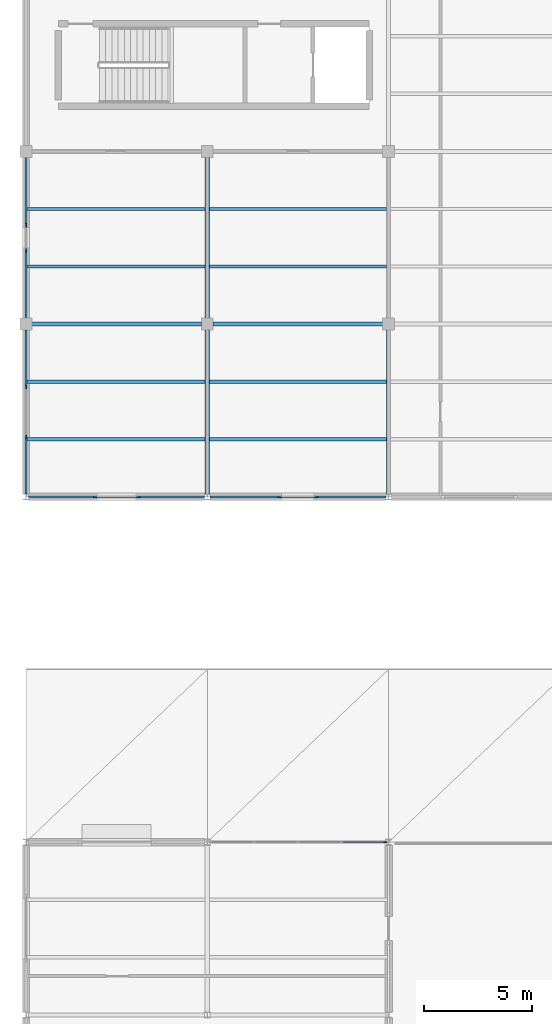
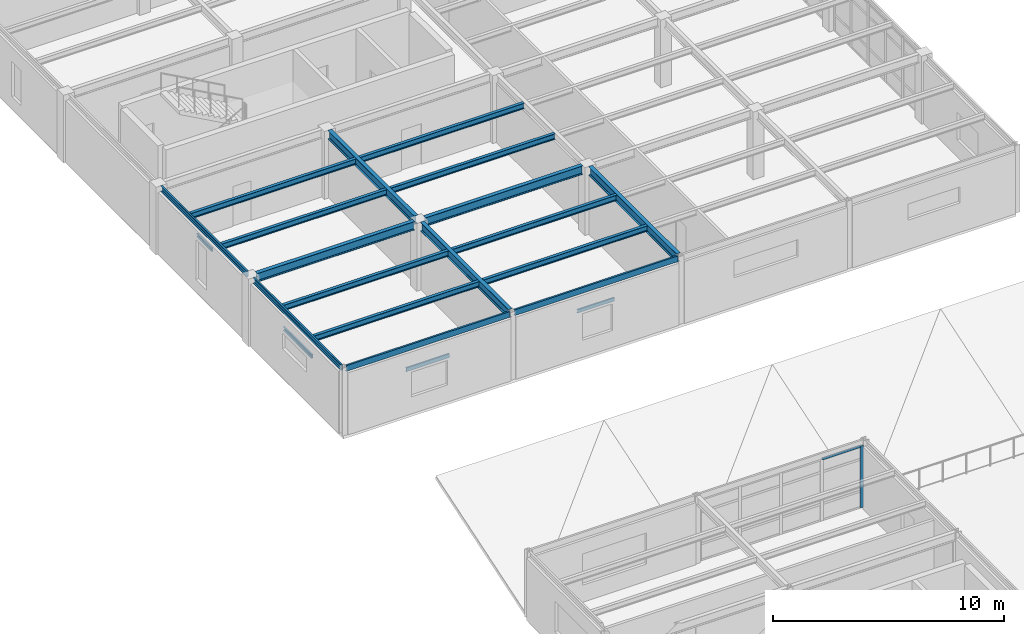
# One storey, part 12 of 53: 21 beams, 2 members, 1 element without a shape of its own.
"""IFC4 building model written with IfcOpenShell, lengths in metres."""

from ifc_helpers import new_model, si_unit, direction, frame, origin, origin_2d, place, context, subcontext, project, spatial, rectangle, i_section, u_section, extrude, material, layer, layer_set, material_profile, profile_set, type_object, element, aggregate, save


model = new_model("IFC4")

# Units and contexts
model_context = context("Model", 3, precision=1e-05, world=origin(), true_north=direction((0.0, 1.0)))
body_context = subcontext(model_context, "Body", "Model", "MODEL_VIEW")
ifc_project = project(units=[si_unit("LENGTHUNIT", "METRE"), si_unit("AREAUNIT", "SQUARE_METRE"), si_unit("VOLUMEUNIT", "CUBIC_METRE"), si_unit("PLANEANGLEUNIT", "RADIAN"), si_unit("MASSUNIT", "GRAM", prefix="KILO")], contexts=[model_context])

# Site, building, storey
site_placement = place(None, origin())
site = spatial("IfcSite", under=ifc_project, at=site_placement, CompositionType="ELEMENT")
building_placement = place(site_placement, origin())
building = spatial("IfcBuilding", under=site, at=building_placement, Name="Kranzveld Transit Interchange", CompositionType="ELEMENT")
storey_placement = place(building_placement, frame((0.0, 0.0, 13.360107421875)))
storey = spatial("IfcBuildingStorey", under=building, at=storey_placement, Name="L03", CompositionType="ELEMENT", Elevation=13.360107421875)

# Beams
ifc_material_1 = material(Name="Steel S355JR", Category="steel")
ifc_material_profile_1 = material_profile(ifc_material_1, i_section(OverallWidth=0.18994140625, OverallDepth=0.453369140625, WebThickness=0.008544921875, FlangeThickness=0.0126953125, FilletRadius=0.01025390625, at=origin_2d()), Name="UB 457x191x67")
ifc_profile_set_1 = profile_set([ifc_material_profile_1], Name="Steel S355JR")
beam_type_1 = type_object("IfcBeamType", Name="Beam Steel UB 457x191x67 S355JR", PredefinedType="BEAM", material=ifc_profile_set_1)
beam_1_placement = place(storey_placement, frame((8.39990234375, 48.1201171875, 3.353271484375), z_axis=(0.0, 1.0, 0.0), x_axis=(-1.0, 0.0, 0.0)))
element("IfcBeam", 1, at=beam_1_placement, inside=storey, type_object=beam_type_1, Name="L03 Girder 02/G-H", PredefinedType="BEAM", context=body_context, shape_type="SweptSolid", body=[
    extrude(i_section(OverallWidth=0.18994140625, OverallDepth=0.453369140625, WebThickness=0.008544921875, FlangeThickness=0.0126953125, FilletRadius=0.01025390625, at=origin_2d()), origin(), (0.0, 0.0, 1.0), 7.614990234375),
])
beam_2_placement = place(storey_placement, frame((8.39990234375, 56.264892578125, 3.353271484375), z_axis=(0.0, 1.0, 0.0), x_axis=(-1.0, 0.0, 0.0)))
element("IfcBeam", 2, at=beam_2_placement, inside=storey, type_object=beam_type_1, Name="L03 Girder 02/H-J", PredefinedType="BEAM", context=body_context, shape_type="SweptSolid", body=[
    extrude(i_section(OverallWidth=0.18994140625, OverallDepth=0.453369140625, WebThickness=0.008544921875, FlangeThickness=0.0126953125, FilletRadius=0.01025390625, at=origin_2d()), origin(), (0.0, 0.0, 1.0), 7.47021484375),
])
beam_3_placement = place(storey_placement, frame((16.800048828125, 48.1201171875, 3.353271484375), z_axis=(0.0, 1.0, 0.0), x_axis=(-1.0, 0.0, 0.0)))
element("IfcBeam", 3, at=beam_3_placement, inside=storey, type_object=beam_type_1, Name="L03 Girder 03/G-H", PredefinedType="BEAM", context=body_context, shape_type="SweptSolid", body=[
    extrude(i_section(OverallWidth=0.18994140625, OverallDepth=0.453369140625, WebThickness=0.008544921875, FlangeThickness=0.0126953125, FilletRadius=0.01025390625, at=origin_2d()), origin(), (0.0, 0.0, 1.0), 7.614990234375),
])
ifc_material_2 = material(Name="Steel S355JR", Category="steel")
ifc_material_profile_2 = material_profile(ifc_material_2, i_section(OverallWidth=0.1904296875, OverallDepth=0.45703125, WebThickness=0.009033203125, FlangeThickness=0.014404296875, FilletRadius=0.01025390625, at=origin_2d()), Name="UB 457x191x74")
ifc_profile_set_2 = profile_set([ifc_material_profile_2], Name="Steel S355JR")
beam_type_2 = type_object("IfcBeamType", Name="Beam Steel UB 457x191x74 S355JR", PredefinedType="BEAM", material=ifc_profile_set_2)
beam_4_placement = place(storey_placement, frame((0.264892578125, 56.0, 3.351318359375), z_axis=(1.0, 0.0, 0.0), x_axis=(0.0, 1.0, 0.0)))
element("IfcBeam", 4, at=beam_4_placement, inside=storey, type_object=beam_type_2, Name="L03 Girder 01-02/H", PredefinedType="BEAM", context=body_context, shape_type="SweptSolid", body=[
    extrude(i_section(OverallWidth=0.1904296875, OverallDepth=0.45703125, WebThickness=0.009033203125, FlangeThickness=0.014404296875, FilletRadius=0.01025390625, at=origin_2d()), origin(), (0.0, 0.0, 1.0), 7.8701171875),
])
beam_5_placement = place(storey_placement, frame((8.6650390625, 56.0, 3.351318359375), z_axis=(1.0, 0.0, 0.0), x_axis=(0.0, 1.0, 0.0)))
element("IfcBeam", 5, at=beam_5_placement, inside=storey, type_object=beam_type_2, Name="L03 Girder 02-03/H", PredefinedType="BEAM", context=body_context, shape_type="SweptSolid", body=[
    extrude(i_section(OverallWidth=0.1904296875, OverallDepth=0.45703125, WebThickness=0.009033203125, FlangeThickness=0.014404296875, FilletRadius=0.01025390625, at=origin_2d()), origin(), (0.0, 0.0, 1.0), 7.869873046875),
])

# Curtain wall, members
ifc_material_3 = material(Name="Bronze-anodised thermally broken aluminium", Category="aluminium")
ifc_layer = layer(ifc_material_3, 0.159912109375)
ifc_layer_set = layer_set([ifc_layer], Name="Bronze-anodised thermally broken aluminium")
curtain_wall_type = type_object("IfcCurtainWallType", Name="Bus Boarding Glazed Screen CW-3", PredefinedType="USERDEFINED", material=ifc_layer_set)
curtain_wall_placement = place(storey_placement, origin())
curtain_wall = element("IfcCurtainWall", 6, at=curtain_wall_placement, inside=storey, type_object=curtain_wall_type, Name="L03 Curtain Wall 02/E-03/E", ObjectType="CURTAIN WALL", PredefinedType="USERDEFINED")
ifc_material_4 = material(Name="Bronze-anodised thermally broken aluminium", Category="aluminium")
ifc_material_profile_3 = material_profile(ifc_material_4, rectangle(XDim=0.06005859375, YDim=0.14990234375, at=origin_2d()), Name="ALU MULLION 60x150")
ifc_profile_set_3 = profile_set([ifc_material_profile_3], Name="Bronze-anodised thermally broken aluminium")
member_type_1 = type_object("IfcMemberType", Name="Curtain Wall Mullion 60x150 Alu", PredefinedType="MULLION", material=ifc_profile_set_3)
member_1_placement = place(storey_placement, frame((16.641845703125, 32.0, 0.0), z_axis=(0.0, 0.0, 1.0), x_axis=(0.0, 1.0, 0.0)))
member_1 = element("IfcMember", 7, at=member_1_placement, type_object=member_type_1, Name="CW-3 mullion 5", PredefinedType="MULLION", context=body_context, shape_type="SweptSolid", body=[
    extrude(rectangle(XDim=0.06005859375, YDim=0.14990234375, at=origin_2d()), origin(), (0.0, 0.0, 1.0), 3.27978515625),
])
ifc_material_5 = material(Name="Bronze-anodised thermally broken aluminium", Category="aluminium")
ifc_material_profile_4 = material_profile(ifc_material_5, rectangle(XDim=0.06005859375, YDim=0.110107421875, at=origin_2d()), Name="ALU TRANSOM 60x110")
ifc_profile_set_4 = profile_set([ifc_material_profile_4], Name="Bronze-anodised thermally broken aluminium")
member_type_2 = type_object("IfcMemberType", Name="Curtain Wall Transom 60x110 Alu", PredefinedType="USERDEFINED", material=ifc_profile_set_4)
member_2_placement = place(storey_placement, frame((14.666015625, 32.0, 3.25), z_axis=(1.0, 0.0, 0.0), x_axis=(0.0, 1.0, 0.0)))
member_2 = element("IfcMember", 8, at=member_2_placement, type_object=member_type_2, Name="CW-3 transom 4.4", ObjectType="TRANSOM", PredefinedType="USERDEFINED", context=body_context, shape_type="SweptSolid", body=[
    extrude(rectangle(XDim=0.06005859375, YDim=0.110107421875, at=origin_2d()), origin(), (0.0, 0.0, 1.0), 1.94580078125),
])
aggregate(curtain_wall, [member_1, member_2])

# Beams
ifc_material_6 = material(Name="Steel S355JR", Category="steel")
ifc_material_profile_5 = material_profile(ifc_material_6, i_section(OverallWidth=0.14990234375, OverallDepth=0.300048828125, WebThickness=0.007080078125, FlangeThickness=0.0107421875, FilletRadius=0.014892578125, at=origin_2d()), Name="IPE 300")
ifc_profile_set_5 = profile_set([ifc_material_profile_5], Name="Steel S355JR")
beam_type_3 = type_object("IfcBeamType", Name="Deck Joist IPE 300 S355JR", PredefinedType="JOIST", material=ifc_profile_set_5)
for number, where, z_axis, x_axis, name in (
    (9, (0.047119140625, 50.666748046875, 3.429931640625), (1.0, 0.0, 0.0), (0.0, 1.0, 0.0), "L03 Secondary Joist 01-02/G.1"),
    (10, (0.047119140625, 53.333251953125, 3.429931640625), (1.0, 0.0, 0.0), (0.0, 1.0, 0.0), "L03 Secondary Joist 01-02/G.2"),
    (11, (0.047119140625, 58.666748046875, 3.429931640625), (1.0, 0.0, 0.0), (0.0, 1.0, 0.0), "L03 Secondary Joist 01-02/H.1"),
    (12, (0.047119140625, 61.333251953125, 3.429931640625), (1.0, 0.0, 0.0), (0.0, 1.0, 0.0), "L03 Secondary Joist 01-02/H.2"),
):
    element("IfcBeam", number, at=place(storey_placement, frame(where, z_axis=z_axis, x_axis=x_axis)), inside=storey, type_object=beam_type_3, Name=name, PredefinedType="JOIST", context=body_context, shape_type="SweptSolid", body=[
        extrude(i_section(OverallWidth=0.14990234375, OverallDepth=0.300048828125, WebThickness=0.007080078125, FlangeThickness=0.0107421875, FilletRadius=0.014892578125, at=origin_2d()), origin(), (0.0, 0.0, 1.0), 8.255859375),
    ])
for number, where, z_axis, x_axis, name in (
    (13, (8.4970703125, 50.666748046875, 3.429931640625), (1.0, 0.0, 0.0), (0.0, 1.0, 0.0), "L03 Secondary Joist 02-03/G.1"),
    (14, (8.4970703125, 53.333251953125, 3.429931640625), (1.0, 0.0, 0.0), (0.0, 1.0, 0.0), "L03 Secondary Joist 02-03/G.2"),
    (15, (8.4970703125, 58.666748046875, 3.429931640625), (1.0, 0.0, 0.0), (0.0, 1.0, 0.0), "L03 Secondary Joist 02-03/H.1"),
    (16, (8.4970703125, 61.333251953125, 3.429931640625), (1.0, 0.0, 0.0), (0.0, 1.0, 0.0), "L03 Secondary Joist 02-03/H.2"),
):
    element("IfcBeam", number, at=place(storey_placement, frame(where, z_axis=z_axis, x_axis=x_axis)), inside=storey, type_object=beam_type_3, Name=name, PredefinedType="JOIST", context=body_context, shape_type="SweptSolid", body=[
        extrude(i_section(OverallWidth=0.14990234375, OverallDepth=0.300048828125, WebThickness=0.007080078125, FlangeThickness=0.0107421875, FilletRadius=0.014892578125, at=origin_2d()), origin(), (0.0, 0.0, 1.0), 8.2060546875),
    ])
ifc_material_7 = material(Name="Steel S355JR", Category="steel")
ifc_material_profile_6 = material_profile(ifc_material_7, u_section(Depth=0.300048828125, FlangeWidth=0.090087890625, WebThickness=0.009033203125, FlangeThickness=0.015380859375, FilletRadius=0.011962890625, at=origin_2d()), Name="PFC 300x90x41")
ifc_profile_set_6 = profile_set([ifc_material_profile_6], Name="Steel S355JR")
beam_type_4 = type_object("IfcBeamType", Name="Edge Spandrel PFC 300x90x41 S355JR", PredefinedType="SPANDREL", material=ifc_profile_set_6)
for number, where, z_axis, x_axis, name in (
    (17, (0.1181640625, 48.0, 3.429931640625), (1.0, 0.0, 0.0), (0.0, 1.0, 0.0), "L03 Girder 01-02/G"),
    (18, (8.51806640625, 48.0, 3.429931640625), (1.0, 0.0, 0.0), (0.0, 1.0, 0.0), "L03 Girder 02-03/G"),
):
    element("IfcBeam", number, at=place(storey_placement, frame(where, z_axis=z_axis, x_axis=x_axis)), inside=storey, type_object=beam_type_4, Name=name, PredefinedType="SPANDREL", context=body_context, shape_type="SweptSolid", body=[
        extrude(u_section(Depth=0.300048828125, FlangeWidth=0.090087890625, WebThickness=0.009033203125, FlangeThickness=0.015380859375, FilletRadius=0.011962890625, at=origin_2d()), origin(), (0.0, 0.0, 1.0), 8.163818359375),
    ])
beam_6_placement = place(storey_placement, frame((0.0, 48.1201171875, 3.429931640625), z_axis=(0.0, 1.0, 0.0), x_axis=(-1.0, 0.0, 0.0)))
element("IfcBeam", 19, at=beam_6_placement, inside=storey, type_object=beam_type_4, Name="L03 Girder 01/G-H", PredefinedType="SPANDREL", context=body_context, shape_type="SweptSolid", body=[
    extrude(u_section(Depth=0.300048828125, FlangeWidth=0.090087890625, WebThickness=0.009033203125, FlangeThickness=0.015380859375, FilletRadius=0.011962890625, at=origin_2d()), origin(), (0.0, 0.0, 1.0), 7.614990234375),
])
beam_7_placement = place(storey_placement, frame((0.0, 56.264892578125, 3.429931640625), z_axis=(0.0, 1.0, 0.0), x_axis=(-1.0, 0.0, 0.0)))
element("IfcBeam", 20, at=beam_7_placement, inside=storey, type_object=beam_type_4, Name="L03 Girder 01/H-J", PredefinedType="SPANDREL", context=body_context, shape_type="SweptSolid", body=[
    extrude(u_section(Depth=0.300048828125, FlangeWidth=0.090087890625, WebThickness=0.009033203125, FlangeThickness=0.015380859375, FilletRadius=0.011962890625, at=origin_2d()), origin(), (0.0, 0.0, 1.0), 7.47021484375),
])
ifc_material_8 = material(Name="Steel S355JR", Category="steel")
ifc_material_profile_7 = material_profile(ifc_material_8, u_section(Depth=0.179931640625, FlangeWidth=0.070068359375, WebThickness=0.007080078125, FlangeThickness=0.010986328125, FilletRadius=0.010009765625, at=origin_2d()), Name="PFC 180x70x22")
ifc_profile_set_7 = profile_set([ifc_material_profile_7], Name="Steel S355JR")
beam_type_5 = type_object("IfcBeamType", Name="Masonry Lintel PFC 180x70x22 S355JR", PredefinedType="LINTEL", material=ifc_profile_set_7)
beam_8_placement = place(storey_placement, frame((11.669921875, 48.0, 2.394775390625), z_axis=(1.0, 0.0, 0.0), x_axis=(0.0, 1.0, 0.0)))
element("IfcBeam", 21, at=beam_8_placement, inside=storey, type_object=beam_type_5, Name="L03 Window Lintel 173", PredefinedType="LINTEL", context=body_context, shape_type="SweptSolid", body=[
    extrude(u_section(Depth=0.179931640625, FlangeWidth=0.070068359375, WebThickness=0.007080078125, FlangeThickness=0.010986328125, FilletRadius=0.010009765625, at=origin_2d()), origin(), (0.0, 0.0, 1.0), 1.860107421875),
])
beam_9_placement = place(storey_placement, frame((0.0, 59.344970703125, 2.844970703125), z_axis=(0.0, 1.0, 0.0), x_axis=(-1.0, 0.0, 0.0)))
element("IfcBeam", 22, at=beam_9_placement, inside=storey, type_object=beam_type_5, Name="L03 Window Lintel 177", PredefinedType="LINTEL", context=body_context, shape_type="SweptSolid", body=[
    extrude(u_section(Depth=0.179931640625, FlangeWidth=0.070068359375, WebThickness=0.007080078125, FlangeThickness=0.010986328125, FilletRadius=0.010009765625, at=origin_2d()), origin(), (0.0, 0.0, 1.0), 1.31005859375),
])
ifc_material_9 = material(Name="Steel S355JR", Category="steel")
ifc_material_profile_8 = material_profile(ifc_material_9, u_section(Depth=0.199951171875, FlangeWidth=0.074951171875, WebThickness=0.006103515625, FlangeThickness=0.012451171875, FilletRadius=0.011962890625, at=origin_2d()), Name="PFC 200x75x23")
ifc_profile_set_8 = profile_set([ifc_material_profile_8], Name="Steel S355JR")
beam_type_6 = type_object("IfcBeamType", Name="Masonry Lintel PFC 200x75x23 S355JR", PredefinedType="LINTEL", material=ifc_profile_set_8)
beam_10_placement = place(storey_placement, frame((3.1201171875, 48.0, 2.304931640625), z_axis=(1.0, 0.0, 0.0), x_axis=(0.0, 1.0, 0.0)))
element("IfcBeam", 23, at=beam_10_placement, inside=storey, type_object=beam_type_6, Name="L03 Window Lintel 172", PredefinedType="LINTEL", context=body_context, shape_type="SweptSolid", body=[
    extrude(u_section(Depth=0.199951171875, FlangeWidth=0.074951171875, WebThickness=0.006103515625, FlangeThickness=0.012451171875, FilletRadius=0.011962890625, at=origin_2d()), origin(), (0.0, 0.0, 1.0), 2.159912109375),
])
beam_11_placement = place(storey_placement, frame((0.0, 50.697509765625, 2.454833984375), z_axis=(0.0, 1.0, 0.0), x_axis=(-1.0, 0.0, 0.0)))
element("IfcBeam", 24, at=beam_11_placement, inside=storey, type_object=beam_type_6, Name="L03 Window Lintel 176", PredefinedType="LINTEL", context=body_context, shape_type="SweptSolid", body=[
    extrude(u_section(Depth=0.199951171875, FlangeWidth=0.074951171875, WebThickness=0.006103515625, FlangeThickness=0.012451171875, FilletRadius=0.011962890625, at=origin_2d()), origin(), (0.0, 0.0, 1.0), 2.460205078125),
])

save(model, "model.ifc")
